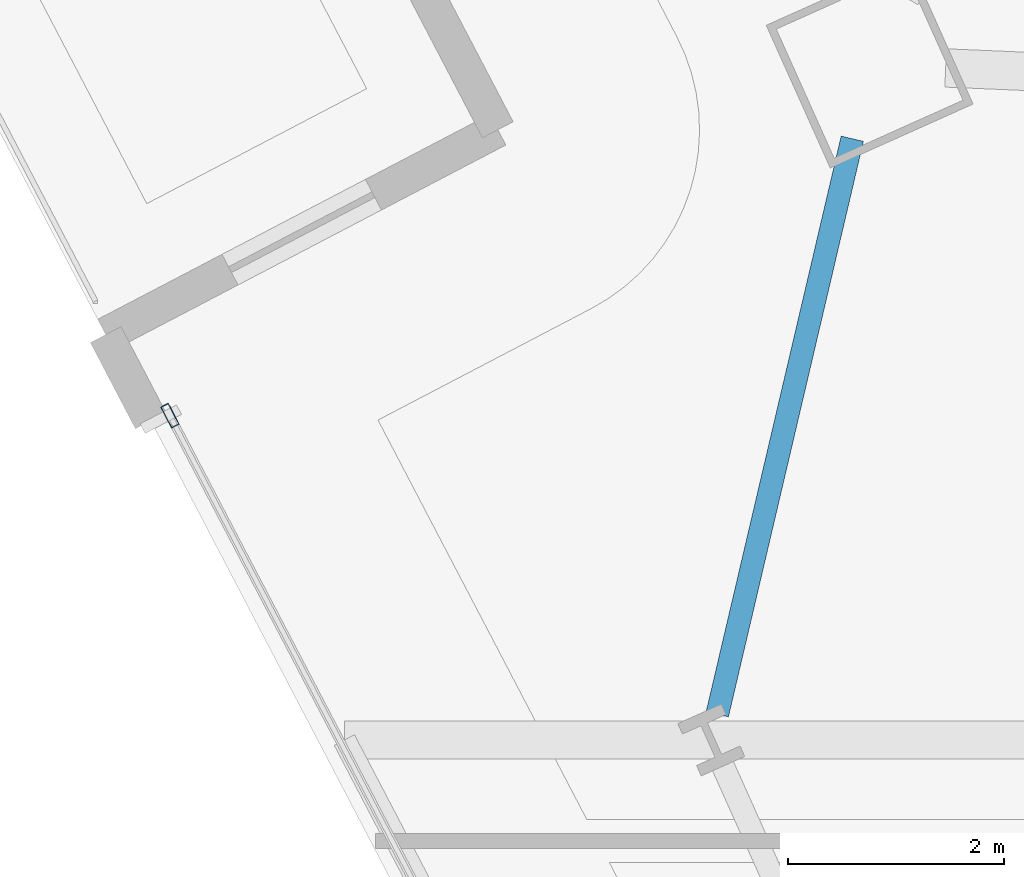
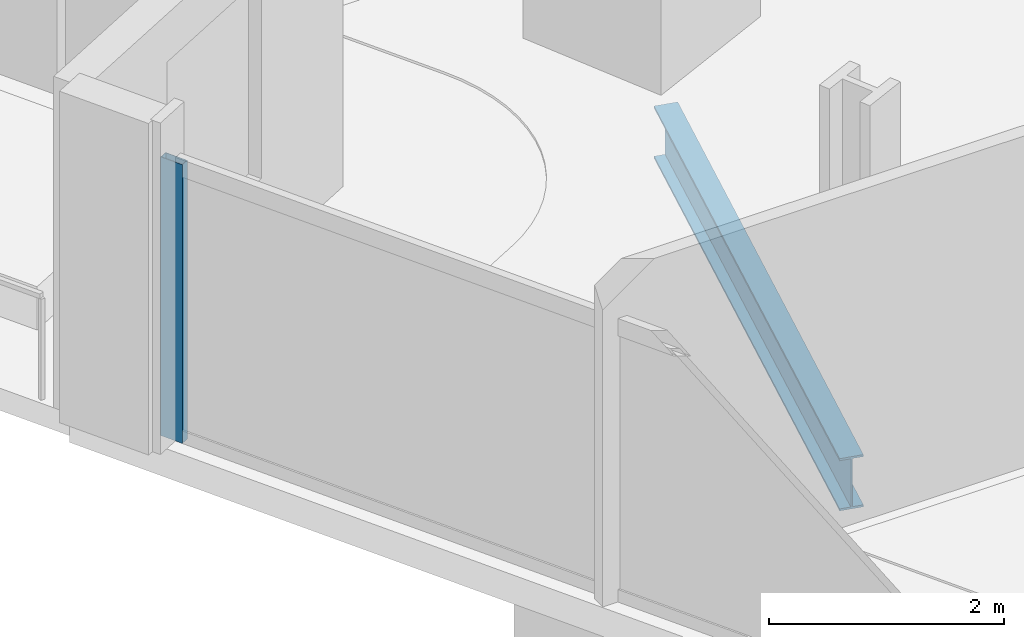
# One storey, part 13 of 33: 1 beam, 1 member, 1 element without a shape of its own.
"""IFC4 building model written with IfcOpenShell, lengths in metres."""

from ifc_helpers import new_model, si_unit, direction, frame, origin, origin_2d, place, context, subcontext, project, spatial, hollow_rectangle, i_section, extrude, material, material_profile, profile_set, type_object, element, aggregate, save


model = new_model("IFC4")

# Units and contexts
model_context = context("Model", 3, precision=1e-05, world=origin(), true_north=direction((0.0, 1.0)))
body_context = subcontext(model_context, "Body", "Model", "MODEL_VIEW")
ifc_project = project(units=[si_unit("LENGTHUNIT", "METRE"), si_unit("AREAUNIT", "SQUARE_METRE"), si_unit("VOLUMEUNIT", "CUBIC_METRE"), si_unit("PLANEANGLEUNIT", "RADIAN"), si_unit("MASSUNIT", "GRAM", prefix="KILO")], contexts=[model_context])

# Site, building, storey
site_placement = place(None, origin())
site = spatial("IfcSite", under=ifc_project, at=site_placement, CompositionType="ELEMENT")
building_placement = place(site_placement, origin())
building = spatial("IfcBuilding", under=site, at=building_placement, Name="Haldenkirk Collegiate Tower", CompositionType="ELEMENT")
storey_placement = place(building_placement, frame((0.0, 0.0, 120.449951171875)))
storey = spatial("IfcBuildingStorey", under=building, at=storey_placement, Name="L29", CompositionType="ELEMENT", Elevation=120.449951171875)

# Beam
ifc_material_1 = material(Name="Steel ASTM A992 Grade 50", Category="steel")
ifc_material_profile_1 = material_profile(ifc_material_1, i_section(OverallWidth=0.2119140625, OverallDepth=0.5439453125, WebThickness=0.01318359375, FlangeThickness=0.021240234375, at=origin_2d()), Name="W21X83")
ifc_profile_set_1 = profile_set([ifc_material_profile_1], Name="Steel ASTM A992 Grade 50")
beam_type = type_object("IfcBeamType", Name="BM-SPANDREL-W21X83", PredefinedType="SPANDREL", material=ifc_profile_set_1)
beam_placement = place(storey_placement, frame((10.624755859375, 34.0087890625, -0.572021484375), z_axis=(-0.228373515871, -0.97357359108, 0.0), x_axis=(0.97357359108, -0.228373515871, 0.0)))
element("IfcBeam", 1, at=beam_placement, inside=storey, type_object=beam_type, Name="L29 perimeter spandrel beam 13", PredefinedType="SPANDREL", context=body_context, shape_type="SweptSolid", body=[
    extrude(i_section(OverallWidth=0.2119140625, OverallDepth=0.5439453125, WebThickness=0.01318359375, FlangeThickness=0.021240234375, at=origin_2d()), origin(), (0.0, 0.0, 1.0), 5.477783203125),
])

# Curtain wall, member
ifc_material_2 = material(Name="Anodised architectural bronze aluminium", Category="aluminium")
curtain_wall_type = type_object("IfcCurtainWallType", Name="CW-SYS1-CONVEX-LOW", PredefinedType="USERDEFINED", material=ifc_material_2)
curtain_wall_placement = place(storey_placement, origin())
curtain_wall = element("IfcCurtainWall", 2, at=curtain_wall_placement, inside=storey, type_object=curtain_wall_type, Name="L29 Lower tower convex bronze-framed unitised curtain wall", ObjectType="UNITISED CURTAIN WALL", PredefinedType="USERDEFINED")
ifc_material_profile_2 = material_profile(ifc_material_2, hollow_rectangle(XDim=0.080078125, YDim=0.219970703125, WallThickness=0.0048828125, at=origin_2d()), Name="CW-MUL-1A")
ifc_profile_set_2 = profile_set([ifc_material_profile_2], Name="Anodised architectural bronze aluminium")
member_type = type_object("IfcMemberType", Name="CW-MUL-1A", PredefinedType="MULLION", material=ifc_profile_set_2)
member_placement = place(storey_placement, frame((4.301025390625, 31.443359375, 0.0), z_axis=(0.0, 0.0, 1.0), x_axis=(-0.8862046336, -0.463294018292, 0.0)))
member = element("IfcMember", 3, at=member_placement, type_object=member_type, Name="CW-1A mullion 5", PredefinedType="MULLION", context=body_context, shape_type="SweptSolid", body=[
    extrude(hollow_rectangle(XDim=0.080078125, YDim=0.219970703125, WallThickness=0.0048828125, at=origin_2d()), origin(), (0.0, 0.0, 1.0), 2.901123046875),
])
aggregate(curtain_wall, [member])

save(model, "model.ifc")
